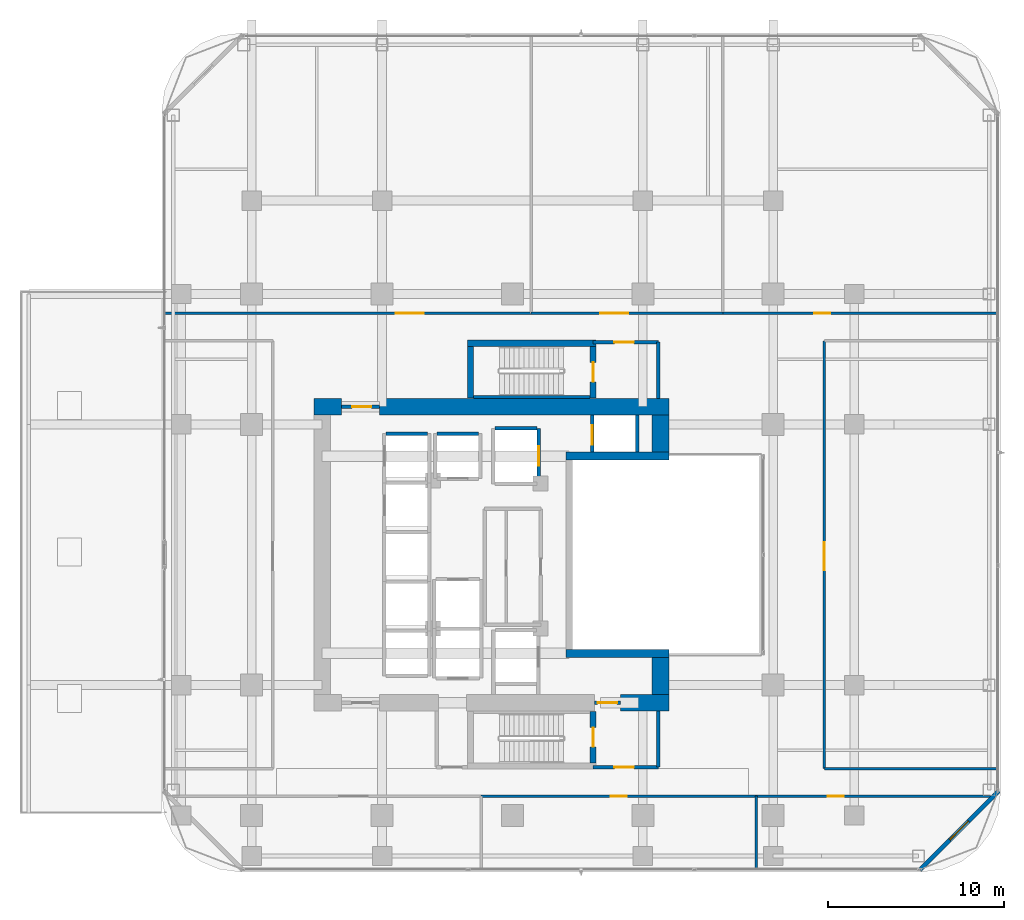
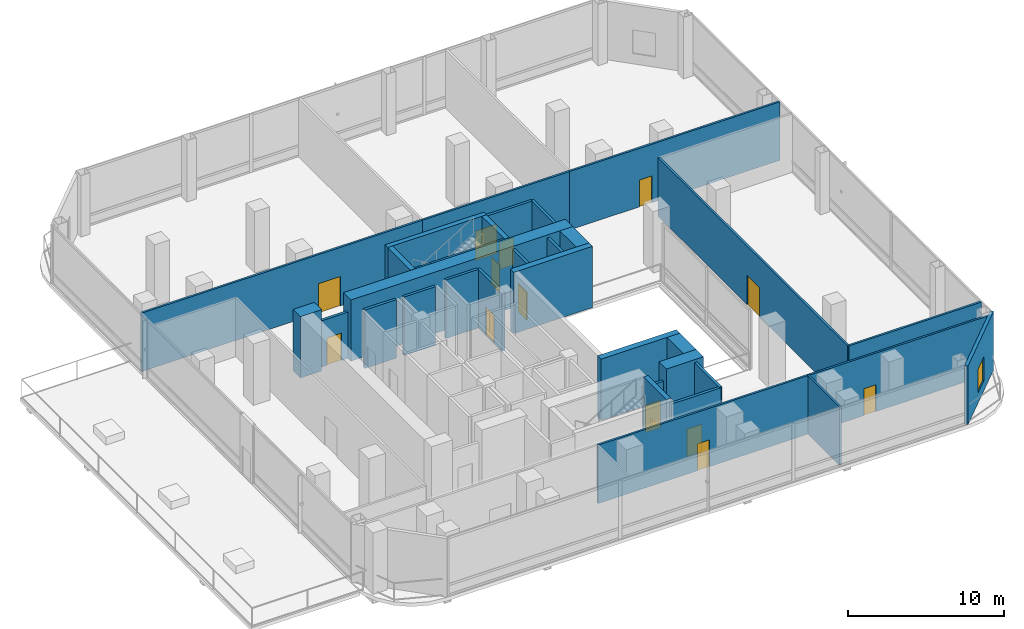
# One storey, part 22 of 28: 33 walls, 14 doors, 1 window, 15 openings.
"""IFC4 building model written with IfcOpenShell, lengths in metres."""

from ifc_helpers import new_model, si_unit, direction, frame, frame_2d, origin, place, context, subcontext, project, spatial, rectangle, extrude, material, layer, layer_set, type_object, element, fill, save


model = new_model("IFC4")

# Units and contexts
model_context = context("Model", 3, precision=1e-05, world=origin(), true_north=direction((0.0, 1.0)))
body_context = subcontext(model_context, "Body", "Model", "MODEL_VIEW")
ifc_project = project(units=[si_unit("LENGTHUNIT", "METRE"), si_unit("AREAUNIT", "SQUARE_METRE"), si_unit("VOLUMEUNIT", "CUBIC_METRE"), si_unit("PLANEANGLEUNIT", "RADIAN"), si_unit("MASSUNIT", "GRAM", prefix="KILO")], contexts=[model_context])

# Site, building, storey
site_placement = place(None, origin())
site = spatial("IfcSite", under=ifc_project, at=site_placement, CompositionType="ELEMENT")
building_placement = place(site_placement, origin())
building = spatial("IfcBuilding", under=site, at=building_placement, Name="Khorvyn Point Tower", CompositionType="ELEMENT")
storey_placement = place(building_placement, frame((0.0, 0.0, 108.60009765625)))
storey = spatial("IfcBuildingStorey", under=building, at=storey_placement, Name="L27", CompositionType="ELEMENT", Elevation=108.60009765625)

# Wall, opening, window
ifc_material_1 = material(Name="Pale anodised aluminium rainscreen on steel stud", Category="steel")
ifc_layer_1 = layer(ifc_material_1, 0.239990234375)
ifc_layer_set_1 = layer_set([ifc_layer_1], Name="Anodised Aluminium Insulated Corner Spandrel Wall 240")
wall_type_1 = type_object("IfcWallType", Name="Anodised Aluminium Insulated Corner Spandrel Wall 240", PredefinedType="SOLIDWALL", material=ifc_layer_set_1)
wall_1_placement = place(storey_placement, frame((27.59228515625, -13.40771484375, 0.0), z_axis=(0.0, 0.0, 1.0), x_axis=(-0.707106781187, -0.707106781187, 0.0)))
wall_1 = element("IfcWall", 1, at=wall_1_placement, inside=storey, type_object=wall_type_1, Name="L27 Rounded Corner Wall SE", PredefinedType="SOLIDWALL", context=body_context, shape_type="SweptSolid", body=[
    extrude(rectangle(XDim=6.34228515625, YDim=0.239990234375, at=frame_2d((3.171142578125, 0.0))), origin(), (0.0, 0.0, 1.0), 4.579833984375),
])
opening_1_placement = place(wall_1_placement, frame((2.42138671875, 0.0, 0.800048828125)))
opening_1 = element("IfcOpeningElement", 2, at=opening_1_placement, cuts=wall_1, Name="Opening WN-1518", PredefinedType="OPENING", context=body_context, shape_type="SweptSolid", body=[
    extrude(rectangle(XDim=1.5, YDim=1.85009765625, at=frame_2d((0.75, 0.925048828125))), frame((0.0, 0.1298828125, 0.0), z_axis=(0.0, -1.0, 0.0), x_axis=(1.0, 0.0, 0.0)), (0.0, 0.0, 1.0), 0.260009765625),
])
ifc_material_2 = material(Name="Anodised aluminium 6063-T6 and laminated Low-E glass", Category="aluminium")
window_type = type_object("IfcWindowType", Name="Anodised Aluminium Rounded-Corner Panoramic Window 1500x1850", PartitioningType="SINGLE_PANEL", PredefinedType="WINDOW", material=ifc_material_2)
window_placement = place(opening_1_placement, origin())
window = element("IfcWindow", 3, at=window_placement, inside=storey, type_object=window_type, Name="L27 Corner Panoramic Window SE", OverallHeight=1.85009765625, OverallWidth=1.5, PartitioningType="SINGLE_PANEL", PredefinedType="WINDOW", context=body_context, shape_type="SweptSolid", body=[
    extrude(rectangle(XDim=1.5, YDim=1.85009765625, at=frame_2d((0.75, 0.925048828125))), frame((0.0, 0.030029296875, 0.0), z_axis=(0.0, -1.0, 0.0), x_axis=(1.0, 0.0, 0.0)), (0.0, 0.0, 1.0), 0.06005859375),
])
fill(opening_1, window)

# Walls
ifc_material_3 = material(Name="Concrete C40/50", Category="concrete")
ifc_layer_2 = layer(ifc_material_3, 0.449951171875)
ifc_layer_set_2 = layer_set([ifc_layer_2], Name="Concrete C40/50 Core Shear Wall 450")
wall_type_2 = type_object("IfcWallType", Name="Concrete C40/50 Core Shear Wall 450", PredefinedType="SHEAR", material=ifc_layer_set_2)
for number, where, z_axis, x_axis, name in (
    (4, (3.044921875, -5.60009765625, 0.0), (0.0, 0.0, 1.0), (1.0, 0.0, 0.0), "Wall"),
    (5, (3.044921875, 5.60009765625, 0.0), (0.0, 0.0, 1.0), (1.0, 0.0, 0.0), "Wall"),
):
    element("IfcWall", number, at=place(storey_placement, frame(where, z_axis=z_axis, x_axis=x_axis)), inside=storey, type_object=wall_type_2, Name=name, PredefinedType="SHEAR", context=body_context, shape_type="SweptSolid", body=[
        extrude(rectangle(XDim=5.830078125, YDim=0.449951171875, at=frame_2d((2.9150390625, 0.0))), origin(), (0.0, 0.0, 1.0), 4.7998046875),
    ])

# Wall, opening, door
ifc_layer_3 = layer(ifc_material_3, 0.199951171875)
ifc_layer_set_3 = layer_set([ifc_layer_3], Name="Concrete C40/50 Fire-Lobby Compartment Wall 200")
wall_type_3 = type_object("IfcWallType", Name="Concrete C40/50 Fire-Lobby Compartment Wall 200", PredefinedType="SOLIDWALL", material=ifc_layer_set_3)
wall_2_placement = place(storey_placement, frame((4.580078125, -12.06005859375, 0.0), z_axis=(0.0, 0.0, 1.0), x_axis=(1.0, 0.0, 0.0)))
wall_2 = element("IfcWall", 6, at=wall_2_placement, inside=storey, type_object=wall_type_3, Name="Wall", PredefinedType="SOLIDWALL", context=body_context, shape_type="SweptSolid", body=[
    extrude(rectangle(XDim=3.699951171875, YDim=0.199951171875, at=frame_2d((1.85009765625, 0.0))), origin(), (0.0, 0.0, 1.0), 4.579833984375),
])
opening_2_placement = place(wall_2_placement, frame((1.21240234375, 0.0, 0.0)))
opening_2 = element("IfcOpeningElement", 7, at=opening_2_placement, cuts=wall_2, Name="Opening ID-FL90", PredefinedType="OPENING", context=body_context, shape_type="SweptSolid", body=[
    extrude(rectangle(XDim=1.10009765625, YDim=2.14990234375, at=frame_2d((0.550048828125, 1.074951171875))), frame((0.0, 0.10986328125, 0.0), z_axis=(0.0, -1.0, 0.0), x_axis=(1.0, 0.0, 0.0)), (0.0, 0.0, 1.0), 0.219970703125),
])
ifc_material_4 = material(Name="Galvanised powder-coated steel", Category="steel")
door_type_1 = type_object("IfcDoorType", Name="Fire-Rated Steel Lobby and Stair Door 1100x2150", OperationType="NOTDEFINED", PredefinedType="DOOR", material=ifc_material_4)
door_1_placement = place(opening_2_placement, origin())
door_1 = element("IfcDoor", 8, at=door_1_placement, inside=storey, type_object=door_type_1, Name="Door", OperationType="SINGLE_SWING_RIGHT", OverallHeight=2.14990234375, OverallWidth=1.10009765625, PredefinedType="DOOR", context=body_context, shape_type="SweptSolid", body=[
    extrude(rectangle(XDim=1.10009765625, YDim=2.14990234375, at=frame_2d((0.550048828125, 1.074951171875))), frame((0.0, 0.02490234375, 0.0), z_axis=(0.0, -1.0, 0.0), x_axis=(1.0, 0.0, 0.0)), (0.0, 0.0, 1.0), 0.050048828125),
])
fill(opening_2, door_1)

wall_3_placement = place(storey_placement, frame((4.64990234375, -8.39990234375, 0.0), z_axis=(0.0, 0.0, 1.0), x_axis=(1.0, 0.0, 0.0)))
wall_3 = element("IfcWall", 9, at=wall_3_placement, inside=storey, type_object=wall_type_3, Name="Wall", PredefinedType="SOLIDWALL", context=body_context, shape_type="SweptSolid", body=[
    extrude(rectangle(XDim=1.47021484375, YDim=0.199951171875, at=frame_2d((0.735107421875, 0.0))), origin(), (0.0, 0.0, 1.0), 3.619873046875),
])
opening_3_placement = place(wall_3_placement, frame((0.18505859375, 0.0, 0.0)))
opening_3 = element("IfcOpeningElement", 10, at=opening_3_placement, cuts=wall_3, Name="Opening ID-FL90", PredefinedType="OPENING", context=body_context, shape_type="SweptSolid", body=[
    extrude(rectangle(XDim=1.10009765625, YDim=2.14990234375, at=frame_2d((0.550048828125, 1.074951171875))), frame((0.0, 0.10986328125, 0.0), z_axis=(0.0, -1.0, 0.0), x_axis=(1.0, 0.0, 0.0)), (0.0, 0.0, 1.0), 0.219970703125),
])
door_2_placement = place(opening_3_placement, origin())
door_2 = element("IfcDoor", 11, at=door_2_placement, inside=storey, type_object=door_type_1, Name="Door", OperationType="SINGLE_SWING_LEFT", OverallHeight=2.14990234375, OverallWidth=1.10009765625, PredefinedType="DOOR", context=body_context, shape_type="SweptSolid", body=[
    extrude(rectangle(XDim=1.10009765625, YDim=2.14990234375, at=frame_2d((0.550048828125, 1.074951171875))), frame((0.0, 0.02490234375, 0.0), z_axis=(0.0, -1.0, 0.0), x_axis=(1.0, 0.0, 0.0)), (0.0, 0.0, 1.0), 0.050048828125),
])
fill(opening_3, door_2)

wall_4_placement = place(storey_placement, frame((4.580078125, 12.06005859375, 0.0), z_axis=(0.0, 0.0, 1.0), x_axis=(1.0, 0.0, 0.0)))
wall_4 = element("IfcWall", 12, at=wall_4_placement, inside=storey, type_object=wall_type_3, Name="Wall", PredefinedType="SOLIDWALL", context=body_context, shape_type="SweptSolid", body=[
    extrude(rectangle(XDim=3.699951171875, YDim=0.199951171875, at=frame_2d((1.85009765625, 0.0))), origin(), (0.0, 0.0, 1.0), 4.579833984375),
])
opening_4_placement = place(wall_4_placement, frame((1.21240234375, 0.0, 0.0)))
opening_4 = element("IfcOpeningElement", 13, at=opening_4_placement, cuts=wall_4, Name="Opening ID-FL90", PredefinedType="OPENING", context=body_context, shape_type="SweptSolid", body=[
    extrude(rectangle(XDim=1.10009765625, YDim=2.14990234375, at=frame_2d((0.550048828125, 1.074951171875))), frame((0.0, 0.10986328125, 0.0), z_axis=(0.0, -1.0, 0.0), x_axis=(1.0, 0.0, 0.0)), (0.0, 0.0, 1.0), 0.219970703125),
])
door_3_placement = place(opening_4_placement, origin())
door_3 = element("IfcDoor", 14, at=door_3_placement, inside=storey, type_object=door_type_1, Name="Door", OperationType="SINGLE_SWING_RIGHT", OverallHeight=2.14990234375, OverallWidth=1.10009765625, PredefinedType="DOOR", context=body_context, shape_type="SweptSolid", body=[
    extrude(rectangle(XDim=1.10009765625, YDim=2.14990234375, at=frame_2d((0.550048828125, 1.074951171875))), frame((0.0, 0.02490234375, 0.0), z_axis=(0.0, -1.0, 0.0), x_axis=(1.0, 0.0, 0.0)), (0.0, 0.0, 1.0), 0.050048828125),
])
fill(opening_4, door_3)

wall_5_placement = place(storey_placement, frame((-9.699951171875, 8.39990234375, 0.0), z_axis=(0.0, 0.0, 1.0), x_axis=(1.0, 0.0, 0.0)))
wall_5 = element("IfcWall", 15, at=wall_5_placement, inside=storey, type_object=wall_type_3, Name="Wall", PredefinedType="SOLIDWALL", context=body_context, shape_type="SweptSolid", body=[
    extrude(rectangle(XDim=2.14990234375, YDim=0.199951171875, at=frame_2d((1.074951171875, 0.0))), origin(), (0.0, 0.0, 1.0), 3.619873046875),
])
opening_5_placement = place(wall_5_placement, frame((0.597900390625, 0.0, 0.0)))
opening_5 = element("IfcOpeningElement", 16, at=opening_5_placement, cuts=wall_5, Name="Opening ID-FL90", PredefinedType="OPENING", context=body_context, shape_type="SweptSolid", body=[
    extrude(rectangle(XDim=1.10009765625, YDim=2.14990234375, at=frame_2d((0.550048828125, 1.074951171875))), frame((0.0, 0.10986328125, 0.0), z_axis=(0.0, -1.0, 0.0), x_axis=(1.0, 0.0, 0.0)), (0.0, 0.0, 1.0), 0.219970703125),
])
door_4_placement = place(opening_5_placement, origin())
door_4 = element("IfcDoor", 17, at=door_4_placement, inside=storey, type_object=door_type_1, Name="Door", OperationType="SINGLE_SWING_RIGHT", OverallHeight=2.14990234375, OverallWidth=1.10009765625, PredefinedType="DOOR", context=body_context, shape_type="SweptSolid", body=[
    extrude(rectangle(XDim=1.10009765625, YDim=2.14990234375, at=frame_2d((0.550048828125, 1.074951171875))), frame((0.0, 0.02490234375, 0.0), z_axis=(0.0, -1.0, 0.0), x_axis=(1.0, 0.0, 0.0)), (0.0, 0.0, 1.0), 0.050048828125),
])
fill(opening_5, door_4)

# Walls
for number, where, z_axis, x_axis, name in (
    (18, (8.280029296875, -12.06005859375, 0.0), (0.0, 0.0, 1.0), (0.0, 1.0, 0.0), "Wall"),
    (19, (8.280029296875, 8.875, 0.0), (0.0, 0.0, 1.0), (0.0, 1.0, 0.0), "Wall"),
):
    element("IfcWall", number, at=place(storey_placement, frame(where, z_axis=z_axis, x_axis=x_axis)), inside=storey, type_object=wall_type_3, Name=name, PredefinedType="SOLIDWALL", context=body_context, shape_type="SweptSolid", body=[
        extrude(rectangle(XDim=3.18505859375, YDim=0.199951171875, at=frame_2d((1.592529296875, 0.0))), origin(), (0.0, 0.0, 1.0), 4.579833984375),
    ])
ifc_layer_4 = layer(ifc_material_3, 0.25)
ifc_layer_set_4 = layer_set([ifc_layer_4], Name="Concrete C40/50 Stair Inner Cheek Structural Wall 250")
wall_type_4 = type_object("IfcWallType", Name="Concrete C40/50 Stair Inner Cheek Structural Wall 250", PredefinedType="SHEAR", material=ifc_layer_set_4)
wall_6_placement = place(storey_placement, frame((-2.199951171875, 8.949951171875, 0.0), z_axis=(0.0, 0.0, 1.0), x_axis=(1.0, 0.0, 0.0)))
element("IfcWall", 20, at=wall_6_placement, inside=storey, type_object=wall_type_4, Name="Wall", PredefinedType="SHEAR", context=body_context, shape_type="SweptSolid", body=[
    extrude(rectangle(XDim=6.599853515625, YDim=0.14990234375, at=frame_2d((3.2998046875, 0.0))), origin(), (0.0, 0.0, 1.0), 4.7998046875),
])

# Wall, opening, door
ifc_layer_5 = layer(ifc_material_3, 0.35009765625)
ifc_layer_set_5 = layer_set([ifc_layer_5], Name="Concrete C40/50 Stair Shaft Structural Wall 350")
wall_type_5 = type_object("IfcWallType", Name="Concrete C40/50 Stair Shaft Structural Wall 350", PredefinedType="SHEAR", material=ifc_layer_set_5)
wall_7_placement = place(storey_placement, frame((4.580078125, -8.89990234375, 0.0), z_axis=(0.0, 0.0, 1.0), x_axis=(0.0, -1.0, 0.0)))
wall_7 = element("IfcWall", 21, at=wall_7_placement, inside=storey, type_object=wall_type_5, Name="L27 ST-01 East Landing Door Wall", PredefinedType="SHEAR", context=body_context, shape_type="SweptSolid", body=[
    extrude(rectangle(XDim=2.925048828125, YDim=0.35009765625, at=frame_2d((1.46240234375, 0.0))), origin(), (0.0, 0.0, 1.0), 4.7998046875),
])
opening_6_placement = place(wall_7_placement, frame((0.91259765625, 0.0, 0.0)))
opening_6 = element("IfcOpeningElement", 22, at=opening_6_placement, cuts=wall_7, Name="Opening ID-FL90", PredefinedType="OPENING", context=body_context, shape_type="SweptSolid", body=[
    extrude(rectangle(XDim=1.10009765625, YDim=2.14990234375, at=frame_2d((0.550048828125, 1.074951171875))), frame((0.0, 0.18505859375, 0.0), z_axis=(0.0, -1.0, 0.0), x_axis=(1.0, 0.0, 0.0)), (0.0, 0.0, 1.0), 0.3701171875),
])
door_5_placement = place(opening_6_placement, origin())
door_5 = element("IfcDoor", 23, at=door_5_placement, inside=storey, type_object=door_type_1, Name="L27 ST-01 Smokeproof Landing Door", OperationType="SINGLE_SWING_LEFT", OverallHeight=2.14990234375, OverallWidth=1.10009765625, PredefinedType="DOOR", context=body_context, shape_type="SweptSolid", body=[
    extrude(rectangle(XDim=1.10009765625, YDim=2.14990234375, at=frame_2d((0.550048828125, 1.074951171875))), frame((0.0, 0.02490234375, 0.0), z_axis=(0.0, -1.0, 0.0), x_axis=(1.0, 0.0, 0.0)), (0.0, 0.0, 1.0), 0.050048828125),
])
fill(opening_6, door_5)

# Walls
wall_8_placement = place(storey_placement, frame((-2.554931640625, 12.0, 0.0), z_axis=(0.0, 0.0, 1.0), x_axis=(1.0, 0.0, 0.0)))
element("IfcWall", 24, at=wall_8_placement, inside=storey, type_object=wall_type_5, Name="L27 ST-02 North Shaft Wall", PredefinedType="SHEAR", context=body_context, shape_type="SweptSolid", body=[
    extrude(rectangle(XDim=7.309814453125, YDim=0.35009765625, at=frame_2d((3.65478515625, 0.0))), origin(), (0.0, 0.0, 1.0), 4.7998046875),
])
wall_9_placement = place(storey_placement, frame((-2.3798828125, 8.89990234375, 0.0), z_axis=(0.0, 0.0, 1.0), x_axis=(0.0, 1.0, 0.0)))
element("IfcWall", 25, at=wall_9_placement, inside=storey, type_object=wall_type_5, Name="L27 ST-02 West Shaft Wall", PredefinedType="SHEAR", context=body_context, shape_type="SweptSolid", body=[
    extrude(rectangle(XDim=2.925048828125, YDim=0.35009765625, at=frame_2d((1.46240234375, 0.0))), origin(), (0.0, 0.0, 1.0), 4.7998046875),
])

# Wall, opening, door
wall_10_placement = place(storey_placement, frame((4.580078125, 11.824951171875, 0.0), z_axis=(0.0, 0.0, 1.0), x_axis=(0.0, -1.0, 0.0)))
wall_10 = element("IfcWall", 26, at=wall_10_placement, inside=storey, type_object=wall_type_5, Name="L27 ST-02 East Landing Door Wall", PredefinedType="SHEAR", context=body_context, shape_type="SweptSolid", body=[
    extrude(rectangle(XDim=2.925048828125, YDim=0.35009765625, at=frame_2d((1.46240234375, 0.0))), origin(), (0.0, 0.0, 1.0), 4.7998046875),
])
opening_7_placement = place(wall_10_placement, frame((0.91259765625, 0.0, 0.0)))
opening_7 = element("IfcOpeningElement", 27, at=opening_7_placement, cuts=wall_10, Name="Opening ID-FL90", PredefinedType="OPENING", context=body_context, shape_type="SweptSolid", body=[
    extrude(rectangle(XDim=1.10009765625, YDim=2.14990234375, at=frame_2d((0.550048828125, 1.074951171875))), frame((0.0, 0.18505859375, 0.0), z_axis=(0.0, -1.0, 0.0), x_axis=(1.0, 0.0, 0.0)), (0.0, 0.0, 1.0), 0.3701171875),
])
door_6_placement = place(opening_7_placement, origin())
door_6 = element("IfcDoor", 28, at=door_6_placement, inside=storey, type_object=door_type_1, Name="L27 ST-02 Smokeproof Landing Door", OperationType="SINGLE_SWING_RIGHT", OverallHeight=2.14990234375, OverallWidth=1.10009765625, PredefinedType="DOOR", context=body_context, shape_type="SweptSolid", body=[
    extrude(rectangle(XDim=1.10009765625, YDim=2.14990234375, at=frame_2d((0.550048828125, 1.074951171875))), frame((0.0, 0.02490234375, 0.0), z_axis=(0.0, -1.0, 0.0), x_axis=(1.0, 0.0, 0.0)), (0.0, 0.0, 1.0), 0.050048828125),
])
fill(opening_7, door_6)

# Walls
ifc_layer_6 = layer(ifc_material_3, 0.199951171875)
ifc_layer_set_6 = layer_set([ifc_layer_6], Name="Concrete C40/50 Structural Hoistway and Stair Shaft Wall 200")
wall_type_6 = type_object("IfcWallType", Name="Concrete C40/50 Structural Hoistway and Stair Shaft Wall 200", PredefinedType="SHEAR", material=ifc_layer_set_6)
wall_11_placement = place(storey_placement, frame((-7.175048828125, 6.875, 0.0), z_axis=(0.0, 0.0, 1.0), x_axis=(1.0, 0.0, 0.0)))
element("IfcWall", 29, at=wall_11_placement, inside=storey, type_object=wall_type_6, Name="Wall", PredefinedType="SHEAR", context=body_context, shape_type="SweptSolid", body=[
    extrude(rectangle(XDim=2.35009765625, YDim=0.199951171875, at=frame_2d((1.175048828125, 0.0))), origin(), (0.0, 0.0, 1.0), 4.579833984375),
])
wall_12_placement = place(storey_placement, frame((-4.27490234375, 6.875, 0.0), z_axis=(0.0, 0.0, 1.0), x_axis=(1.0, 0.0, 0.0)))
element("IfcWall", 30, at=wall_12_placement, inside=storey, type_object=wall_type_6, Name="Wall", PredefinedType="SHEAR", context=body_context, shape_type="SweptSolid", body=[
    extrude(rectangle(XDim=2.349853515625, YDim=0.199951171875, at=frame_2d((1.1748046875, 0.0))), origin(), (0.0, 0.0, 1.0), 4.579833984375),
])

# Wall, opening, door
wall_13_placement = place(storey_placement, frame((1.5, 4.02490234375, 0.0), z_axis=(0.0, 0.0, 1.0), x_axis=(0.0, 1.0, 0.0)))
wall_13 = element("IfcWall", 31, at=wall_13_placement, inside=storey, type_object=wall_type_6, Name="Wall", PredefinedType="SHEAR", context=body_context, shape_type="SweptSolid", body=[
    extrude(rectangle(XDim=3.150146484375, YDim=0.199951171875, at=frame_2d((1.5751953125, 0.0))), origin(), (0.0, 0.0, 1.0), 4.579833984375),
])
opening_8_placement = place(wall_13_placement, frame((1.02490234375, 0.0, 0.0)))
opening_8 = element("IfcOpeningElement", 32, at=opening_8_placement, cuts=wall_13, Name="Opening LD-1122", PredefinedType="OPENING", context=body_context, shape_type="SweptSolid", body=[
    extrude(rectangle(XDim=1.10009765625, YDim=2.199951171875, at=frame_2d((0.550048828125, 1.10009765625))), frame((0.0, 0.10986328125, 0.0), z_axis=(0.0, -1.0, 0.0), x_axis=(1.0, 0.0, 0.0)), (0.0, 0.0, 1.0), 0.219970703125),
])
ifc_material_5 = material(Name="Stainless steel 1.4301", Category="steel")
door_type_2 = type_object("IfcDoorType", Name="Stainless Steel Automatic Sliding Lift Landing Door 1100x2200", OperationType="SLIDING_TO_LEFT", PredefinedType="DOOR", material=ifc_material_5)
door_7_placement = place(opening_8_placement, origin())
door_7 = element("IfcDoor", 33, at=door_7_placement, inside=storey, type_object=door_type_2, Name="L27 SV-01 Sliding Lift Landing Door", OperationType="SLIDING_TO_LEFT", OverallHeight=2.199951171875, OverallWidth=1.10009765625, PredefinedType="DOOR", context=body_context, shape_type="SweptSolid", body=[
    extrude(rectangle(XDim=1.10009765625, YDim=2.199951171875, at=frame_2d((0.550048828125, 1.10009765625))), frame((0.0, 0.02490234375, 0.0), z_axis=(0.0, -1.0, 0.0), x_axis=(1.0, 0.0, 0.0)), (0.0, 0.0, 1.0), 0.050048828125),
])
fill(opening_8, door_7)

# Wall
wall_14_placement = place(storey_placement, frame((-1.0, 7.175048828125, 0.0), z_axis=(0.0, 0.0, 1.0), x_axis=(1.0, 0.0, 0.0)))
element("IfcWall", 34, at=wall_14_placement, inside=storey, type_object=wall_type_6, Name="Wall", PredefinedType="SHEAR", context=body_context, shape_type="SweptSolid", body=[
    extrude(rectangle(XDim=2.39990234375, YDim=0.199951171875, at=frame_2d((1.199951171875, 0.0))), origin(), (0.0, 0.0, 1.0), 4.579833984375),
])

# Wall, opening, door
wall_15_placement = place(storey_placement, frame((4.52490234375, 5.824951171875, 0.0), z_axis=(0.0, 0.0, 1.0), x_axis=(0.0, 1.0, 0.0)))
wall_15 = element("IfcWall", 35, at=wall_15_placement, inside=storey, type_object=wall_type_6, Name="Wall", PredefinedType="SHEAR", context=body_context, shape_type="SweptSolid", body=[
    extrude(rectangle(XDim=2.10009765625, YDim=0.199951171875, at=frame_2d((1.050048828125, 0.0))), origin(), (0.0, 0.0, 1.0), 4.579833984375),
])
opening_9_placement = place(wall_15_placement, frame((0.425048828125, 0.0, 0.0)))
opening_9 = element("IfcOpeningElement", 36, at=opening_9_placement, cuts=wall_15, Name="Opening LD-1122", PredefinedType="OPENING", context=body_context, shape_type="SweptSolid", body=[
    extrude(rectangle(XDim=1.10009765625, YDim=2.199951171875, at=frame_2d((0.550048828125, 1.10009765625))), frame((0.0, 0.10986328125, 0.0), z_axis=(0.0, -1.0, 0.0), x_axis=(1.0, 0.0, 0.0)), (0.0, 0.0, 1.0), 0.219970703125),
])
door_8_placement = place(opening_9_placement, origin())
door_8 = element("IfcDoor", 37, at=door_8_placement, inside=storey, type_object=door_type_2, Name="L27 FF-02 Sliding Lift Landing Door", OperationType="SLIDING_TO_LEFT", OverallHeight=2.199951171875, OverallWidth=1.10009765625, PredefinedType="DOOR", context=body_context, shape_type="SweptSolid", body=[
    extrude(rectangle(XDim=1.10009765625, YDim=2.199951171875, at=frame_2d((0.550048828125, 1.10009765625))), frame((0.0, 0.02490234375, 0.0), z_axis=(0.0, -1.0, 0.0), x_axis=(1.0, 0.0, 0.0)), (0.0, 0.0, 1.0), 0.050048828125),
])
fill(opening_9, door_8)

# Walls
wall_16_placement = place(storey_placement, frame((7.074951171875, 5.824951171875, 0.0), z_axis=(0.0, 0.0, 1.0), x_axis=(0.0, 1.0, 0.0)))
element("IfcWall", 38, at=wall_16_placement, inside=storey, type_object=wall_type_6, Name="Wall", PredefinedType="SHEAR", context=body_context, shape_type="SweptSolid", body=[
    extrude(rectangle(XDim=2.10009765625, YDim=0.199951171875, at=frame_2d((1.050048828125, 0.0))), origin(), (0.0, 0.0, 1.0), 4.579833984375),
])
ifc_material_6 = material(Name="Concrete C50/60", Category="concrete")
ifc_layer_7 = layer(ifc_material_6, 0.949951171875)
ifc_layer_set_7 = layer_set([ifc_layer_7], Name="Concrete C50/60 Core Shear Wall 950")
wall_type_7 = type_object("IfcWallType", Name="Concrete C50/60 Core Shear Wall 950", PredefinedType="SHEAR", material=ifc_layer_set_7)
wall_17_placement = place(storey_placement, frame((6.1201171875, -8.39990234375, 0.0), z_axis=(0.0, 0.0, 1.0), x_axis=(1.0, 0.0, 0.0)))
element("IfcWall", 39, at=wall_17_placement, inside=storey, type_object=wall_type_7, Name="Wall", PredefinedType="SHEAR", context=body_context, shape_type="SweptSolid", body=[
    extrude(rectangle(XDim=2.7548828125, YDim=0.949951171875, at=frame_2d((1.37744140625, 0.0))), origin(), (0.0, 0.0, 1.0), 4.7998046875),
])
wall_18_placement = place(storey_placement, frame((-11.27490234375, 8.39990234375, 0.0), z_axis=(0.0, 0.0, 1.0), x_axis=(1.0, 0.0, 0.0)))
element("IfcWall", 40, at=wall_18_placement, inside=storey, type_object=wall_type_7, Name="Wall", PredefinedType="SHEAR", context=body_context, shape_type="SweptSolid", body=[
    extrude(rectangle(XDim=1.574951171875, YDim=0.949951171875, at=frame_2d((0.78759765625, 0.0))), origin(), (0.0, 0.0, 1.0), 4.7998046875),
])
wall_19_placement = place(storey_placement, frame((-7.550048828125, 8.39990234375, 0.0), z_axis=(0.0, 0.0, 1.0), x_axis=(1.0, 0.0, 0.0)))
element("IfcWall", 41, at=wall_19_placement, inside=storey, type_object=wall_type_7, Name="Wall", PredefinedType="SHEAR", context=body_context, shape_type="SweptSolid", body=[
    extrude(rectangle(XDim=16.425048828125, YDim=0.949951171875, at=frame_2d((8.21240234375, 0.0))), origin(), (0.0, 0.0, 1.0), 4.7998046875),
])
for number, where, z_axis, x_axis, name in (
    (42, (8.39990234375, -7.925048828125, 0.0), (0.0, 0.0, 1.0), (0.0, 1.0, 0.0), "Wall"),
    (43, (8.39990234375, 5.824951171875, 0.0), (0.0, 0.0, 1.0), (0.0, 1.0, 0.0), "Wall"),
):
    element("IfcWall", number, at=place(storey_placement, frame(where, z_axis=z_axis, x_axis=x_axis)), inside=storey, type_object=wall_type_7, Name=name, PredefinedType="SHEAR", context=body_context, shape_type="SweptSolid", body=[
        extrude(rectangle(XDim=2.10009765625, YDim=0.949951171875, at=frame_2d((1.050048828125, 0.0))), origin(), (0.0, 0.0, 1.0), 4.7998046875),
    ])

# Wall, opening, door
ifc_material_7 = material(Name="Moisture-resistant gypsum and cement board", Category="gypsum")
ifc_layer_8 = layer(ifc_material_7, 0.14990234375)
ifc_layer_set_8 = layer_set([ifc_layer_8], Name="Moisture-Resistant Wet-Room Partition Wall 150")
wall_type_8 = type_object("IfcWallType", Name="Moisture-Resistant Wet-Room Partition Wall 150", PredefinedType="PARTITIONING", material=ifc_layer_set_8)
wall_20_placement = place(storey_placement, frame((-19.72998046875, 13.699951171875, 0.0), z_axis=(0.0, 0.0, 1.0), x_axis=(1.0, 0.0, 0.0)))
wall_20 = element("IfcWall", 44, at=wall_20_placement, inside=storey, type_object=wall_type_8, Name="Wall", PredefinedType="PARTITIONING", context=body_context, shape_type="SweptSolid", body=[
    extrude(rectangle(XDim=20.79296875, YDim=0.14990234375, at=frame_2d((10.396484375, 0.0))), origin(), (0.0, 0.0, 1.0), 4.579833984375),
])
opening_10_placement = place(wall_20_placement, frame((13.1015625, 0.0, 0.0)))
opening_10 = element("IfcOpeningElement", 45, at=opening_10_placement, cuts=wall_20, Name="Opening ID-LB30", PredefinedType="OPENING", context=body_context, shape_type="SweptSolid", body=[
    extrude(rectangle(XDim=1.60009765625, YDim=2.300048828125, at=frame_2d((0.800048828125, 1.14990234375))), frame((0.0, 0.0849609375, 0.0), z_axis=(0.0, -1.0, 0.0), x_axis=(1.0, 0.0, 0.0)), (0.0, 0.0, 1.0), 0.169921875),
])
ifc_material_8 = material(Name="Anodised aluminium 6063-T6 and tempered glass", Category="aluminium")
door_type_3 = type_object("IfcDoorType", Name="Glazed Aluminium Sky-Lobby Double Swing Door 1600x2300", OperationType="DOUBLE_DOOR_SINGLE_SWING", PredefinedType="DOOR", material=ifc_material_8)
door_9_placement = place(opening_10_placement, origin())
door_9 = element("IfcDoor", 46, at=door_9_placement, inside=storey, type_object=door_type_3, Name="Door", OperationType="SINGLE_SWING_LEFT", OverallHeight=2.300048828125, OverallWidth=1.60009765625, PredefinedType="DOOR", context=body_context, shape_type="SweptSolid", body=[
    extrude(rectangle(XDim=1.60009765625, YDim=2.300048828125, at=frame_2d((0.800048828125, 1.14990234375))), frame((0.0, 0.02490234375, 0.0), z_axis=(0.0, -1.0, 0.0), x_axis=(1.0, 0.0, 0.0)), (0.0, 0.0, 1.0), 0.050048828125),
])
fill(opening_10, door_9)

wall_21_placement = place(storey_placement, frame((1.06298828125, 13.699951171875, 0.0), z_axis=(0.0, 0.0, 1.0), x_axis=(1.0, 0.0, 0.0)))
wall_21 = element("IfcWall", 47, at=wall_21_placement, inside=storey, type_object=wall_type_8, Name="Wall", PredefinedType="PARTITIONING", context=body_context, shape_type="SweptSolid", body=[
    extrude(rectangle(XDim=10.875, YDim=0.14990234375, at=frame_2d((5.4375, 0.0))), origin(), (0.0, 0.0, 1.0), 4.579833984375),
])
opening_11_placement = place(wall_21_placement, frame((3.921142578125, 0.0, 0.0)))
opening_11 = element("IfcOpeningElement", 48, at=opening_11_placement, cuts=wall_21, Name="Opening ID-LB30", PredefinedType="OPENING", context=body_context, shape_type="SweptSolid", body=[
    extrude(rectangle(XDim=1.60009765625, YDim=2.300048828125, at=frame_2d((0.800048828125, 1.14990234375))), frame((0.0, 0.0849609375, 0.0), z_axis=(0.0, -1.0, 0.0), x_axis=(1.0, 0.0, 0.0)), (0.0, 0.0, 1.0), 0.169921875),
])
door_10_placement = place(opening_11_placement, origin())
door_10 = element("IfcDoor", 49, at=door_10_placement, inside=storey, type_object=door_type_3, Name="Door", OperationType="SINGLE_SWING_LEFT", OverallHeight=2.300048828125, OverallWidth=1.60009765625, PredefinedType="DOOR", context=body_context, shape_type="SweptSolid", body=[
    extrude(rectangle(XDim=1.60009765625, YDim=2.300048828125, at=frame_2d((0.800048828125, 1.14990234375))), frame((0.0, 0.02490234375, 0.0), z_axis=(0.0, -1.0, 0.0), x_axis=(1.0, 0.0, 0.0)), (0.0, 0.0, 1.0), 0.050048828125),
])
fill(opening_11, door_10)

wall_22_placement = place(storey_placement, frame((11.93798828125, 13.699951171875, 0.0), z_axis=(0.0, 0.0, 1.0), x_axis=(1.0, 0.0, 0.0)))
wall_22 = element("IfcWall", 50, at=wall_22_placement, inside=storey, type_object=wall_type_8, Name="Wall", PredefinedType="PARTITIONING", context=body_context, shape_type="SweptSolid", body=[
    extrude(rectangle(XDim=15.592041015625, YDim=0.14990234375, at=frame_2d((7.7958984375, 0.0))), origin(), (0.0, 0.0, 1.0), 4.579833984375),
])
opening_12_placement = place(wall_22_placement, frame((5.190185546875, 0.0, 0.0)))
opening_12 = element("IfcOpeningElement", 51, at=opening_12_placement, cuts=wall_22, Name="Opening ID-RM90", PredefinedType="OPENING", context=body_context, shape_type="SweptSolid", body=[
    extrude(rectangle(XDim=0.89990234375, YDim=2.10009765625, at=frame_2d((0.449951171875, 1.050048828125))), frame((0.0, 0.0849609375, 0.0), z_axis=(0.0, -1.0, 0.0), x_axis=(1.0, 0.0, 0.0)), (0.0, 0.0, 1.0), 0.169921875),
])
ifc_material_9 = material(Name="Engineered oak veneer timber", Category="wood")
door_type_4 = type_object("IfcDoorType", Name="Flush Engineered Timber Room Door 900x2100", OperationType="NOTDEFINED", PredefinedType="DOOR", material=ifc_material_9)
door_11_placement = place(opening_12_placement, origin())
door_11 = element("IfcDoor", 52, at=door_11_placement, inside=storey, type_object=door_type_4, Name="Door", OperationType="SINGLE_SWING_RIGHT", OverallHeight=2.10009765625, OverallWidth=0.89990234375, PredefinedType="DOOR", context=body_context, shape_type="SweptSolid", body=[
    extrude(rectangle(XDim=0.89990234375, YDim=2.10009765625, at=frame_2d((0.449951171875, 1.050048828125))), frame((0.0, 0.02490234375, 0.0), z_axis=(0.0, -1.0, 0.0), x_axis=(1.0, 0.0, 0.0)), (0.0, 0.0, 1.0), 0.050048828125),
])
fill(opening_12, door_11)

wall_23_placement = place(storey_placement, frame((-1.77392578125, -13.699951171875, 0.0), z_axis=(0.0, 0.0, 1.0), x_axis=(1.0, 0.0, 0.0)))
wall_23 = element("IfcWall", 53, at=wall_23_placement, inside=storey, type_object=wall_type_8, Name="Wall", PredefinedType="PARTITIONING", context=body_context, shape_type="SweptSolid", body=[
    extrude(rectangle(XDim=15.60302734375, YDim=0.14990234375, at=frame_2d((7.801513671875, 0.0))), origin(), (0.0, 0.0, 1.0), 4.579833984375),
])
opening_13_placement = place(wall_23_placement, frame((7.3515625, 0.0, 0.0)))
opening_13 = element("IfcOpeningElement", 54, at=opening_13_placement, cuts=wall_23, Name="Opening ID-RM90", PredefinedType="OPENING", context=body_context, shape_type="SweptSolid", body=[
    extrude(rectangle(XDim=0.89990234375, YDim=2.10009765625, at=frame_2d((0.449951171875, 1.050048828125))), frame((0.0, 0.0849609375, 0.0), z_axis=(0.0, -1.0, 0.0), x_axis=(1.0, 0.0, 0.0)), (0.0, 0.0, 1.0), 0.169921875),
])
door_12_placement = place(opening_13_placement, origin())
door_12 = element("IfcDoor", 55, at=door_12_placement, inside=storey, type_object=door_type_4, Name="Door", OperationType="SINGLE_SWING_RIGHT", OverallHeight=2.10009765625, OverallWidth=0.89990234375, PredefinedType="DOOR", context=body_context, shape_type="SweptSolid", body=[
    extrude(rectangle(XDim=0.89990234375, YDim=2.10009765625, at=frame_2d((0.449951171875, 1.050048828125))), frame((0.0, 0.02490234375, 0.0), z_axis=(0.0, -1.0, 0.0), x_axis=(1.0, 0.0, 0.0)), (0.0, 0.0, 1.0), 0.050048828125),
])
fill(opening_13, door_12)

wall_24_placement = place(storey_placement, frame((13.8291015625, -13.699951171875, 0.0), z_axis=(0.0, 0.0, 1.0), x_axis=(1.0, 0.0, 0.0)))
wall_24 = element("IfcWall", 56, at=wall_24_placement, inside=storey, type_object=wall_type_8, Name="Wall", PredefinedType="PARTITIONING", context=body_context, shape_type="SweptSolid", body=[
    extrude(rectangle(XDim=13.30078125, YDim=0.14990234375, at=frame_2d((6.650390625, 0.0))), origin(), (0.0, 0.0, 1.0), 4.579833984375),
])
opening_14_placement = place(wall_24_placement, frame((4.068603515625, 0.0, 0.0)))
opening_14 = element("IfcOpeningElement", 57, at=opening_14_placement, cuts=wall_24, Name="Opening ID-RM90", PredefinedType="OPENING", context=body_context, shape_type="SweptSolid", body=[
    extrude(rectangle(XDim=0.89990234375, YDim=2.10009765625, at=frame_2d((0.449951171875, 1.050048828125))), frame((0.0, 0.0849609375, 0.0), z_axis=(0.0, -1.0, 0.0), x_axis=(1.0, 0.0, 0.0)), (0.0, 0.0, 1.0), 0.169921875),
])
door_13_placement = place(opening_14_placement, origin())
door_13 = element("IfcDoor", 58, at=door_13_placement, inside=storey, type_object=door_type_4, Name="Door", OperationType="SINGLE_SWING_LEFT", OverallHeight=2.10009765625, OverallWidth=0.89990234375, PredefinedType="DOOR", context=body_context, shape_type="SweptSolid", body=[
    extrude(rectangle(XDim=0.89990234375, YDim=2.10009765625, at=frame_2d((0.449951171875, 1.050048828125))), frame((0.0, 0.02490234375, 0.0), z_axis=(0.0, -1.0, 0.0), x_axis=(1.0, 0.0, 0.0)), (0.0, 0.0, 1.0), 0.050048828125),
])
fill(opening_14, door_13)

wall_25_placement = place(storey_placement, frame((17.699951171875, -12.139892578125, 0.0), z_axis=(0.0, 0.0, 1.0), x_axis=(0.0, 1.0, 0.0)))
wall_25 = element("IfcWall", 59, at=wall_25_placement, inside=storey, type_object=wall_type_8, Name="Wall", PredefinedType="PARTITIONING", context=body_context, shape_type="SweptSolid", body=[
    extrude(rectangle(XDim=24.27978515625, YDim=0.14990234375, at=frame_2d((12.139892578125, 0.0))), origin(), (0.0, 0.0, 1.0), 4.579833984375),
])
opening_15_placement = place(wall_25_placement, frame((11.25048828125, 0.0, 0.0)))
opening_15 = element("IfcOpeningElement", 60, at=opening_15_placement, cuts=wall_25, Name="Opening ID-LB30", PredefinedType="OPENING", context=body_context, shape_type="SweptSolid", body=[
    extrude(rectangle(XDim=1.60009765625, YDim=2.300048828125, at=frame_2d((0.800048828125, 1.14990234375))), frame((0.0, 0.0849609375, 0.0), z_axis=(0.0, -1.0, 0.0), x_axis=(1.0, 0.0, 0.0)), (0.0, 0.0, 1.0), 0.169921875),
])
door_14_placement = place(opening_15_placement, origin())
door_14 = element("IfcDoor", 61, at=door_14_placement, inside=storey, type_object=door_type_3, Name="Door", OperationType="SINGLE_SWING_LEFT", OverallHeight=2.300048828125, OverallWidth=1.60009765625, PredefinedType="DOOR", context=body_context, shape_type="SweptSolid", body=[
    extrude(rectangle(XDim=1.60009765625, YDim=2.300048828125, at=frame_2d((0.800048828125, 1.14990234375))), frame((0.0, 0.02490234375, 0.0), z_axis=(0.0, -1.0, 0.0), x_axis=(1.0, 0.0, 0.0)), (0.0, 0.0, 1.0), 0.050048828125),
])
fill(opening_15, door_14)

# Walls
wall_26_placement = place(storey_placement, frame((13.8291015625, -17.830078125, 0.0), z_axis=(0.0, 0.0, 1.0), x_axis=(0.0, 1.0, 0.0)))
element("IfcWall", 62, at=wall_26_placement, inside=storey, type_object=wall_type_8, Name="Wall", PredefinedType="PARTITIONING", context=body_context, shape_type="SweptSolid", body=[
    extrude(rectangle(XDim=4.130126953125, YDim=0.14990234375, at=frame_2d((2.06494140625, 0.0))), origin(), (0.0, 0.0, 1.0), 4.579833984375),
])
wall_27_placement = place(storey_placement, frame((17.699951171875, -12.139892578125, 0.0), z_axis=(0.0, 0.0, 1.0), x_axis=(1.0, 0.0, 0.0)))
element("IfcWall", 63, at=wall_27_placement, inside=storey, type_object=wall_type_8, Name="Wall", PredefinedType="PARTITIONING", context=body_context, shape_type="SweptSolid", body=[
    extrude(rectangle(XDim=9.830078125, YDim=0.14990234375, at=frame_2d((4.9150390625, 0.0))), origin(), (0.0, 0.0, 1.0), 4.579833984375),
])

save(model, "model.ifc")
